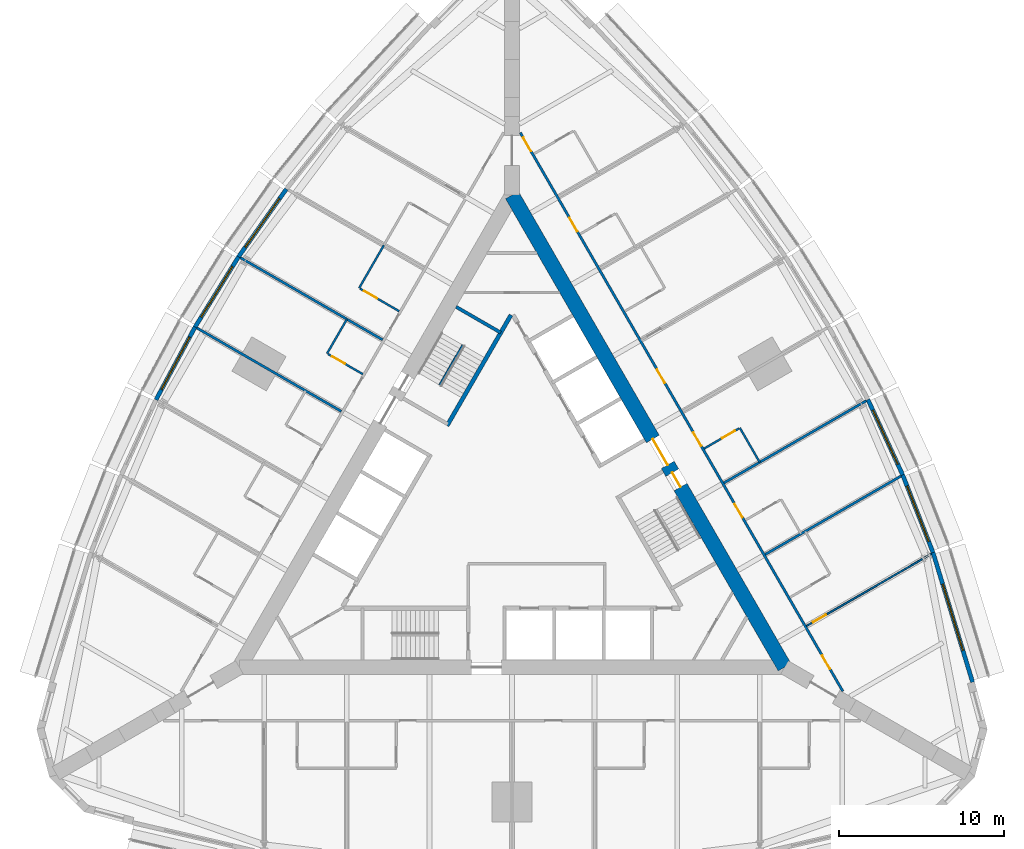
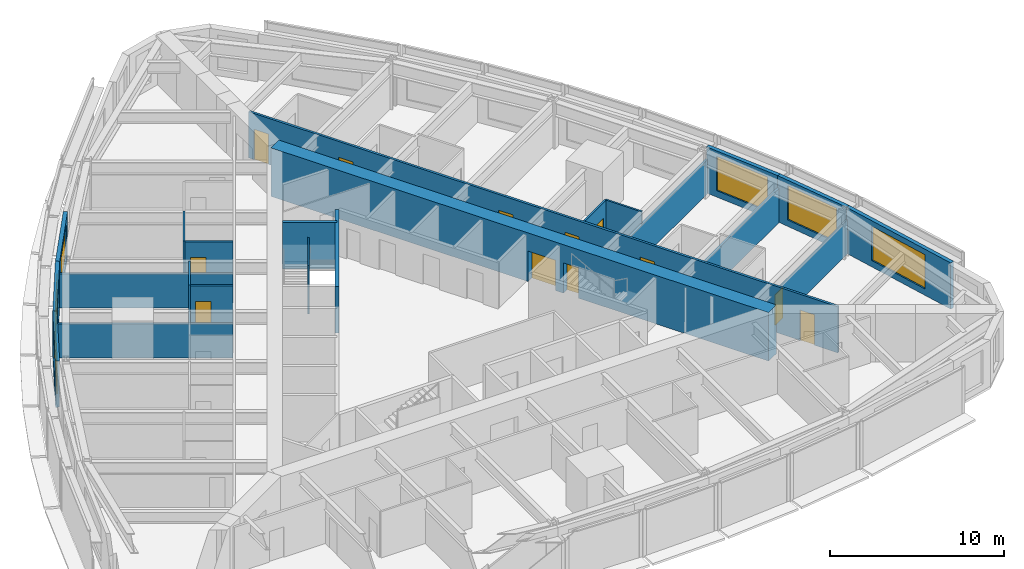
# One storey, part 11 of 14: 22 walls, 12 doors, 6 windows, 18 openings.
"""IFC4 building model written with IfcOpenShell, lengths in metres."""

from ifc_helpers import new_model, si_unit, direction, frame, frame_2d, origin, place, context, subcontext, project, spatial, rectangle, extrude, material, layer, layer_set, type_object, element, fill, save


model = new_model("IFC4")

# Units and contexts
model_context = context("Model", 3, precision=1e-05, world=origin(), true_north=direction((0.0, 1.0)))
body_context = subcontext(model_context, "Body", "Model", "MODEL_VIEW")
ifc_project = project(units=[si_unit("LENGTHUNIT", "METRE"), si_unit("AREAUNIT", "SQUARE_METRE"), si_unit("VOLUMEUNIT", "CUBIC_METRE"), si_unit("PLANEANGLEUNIT", "RADIAN"), si_unit("MASSUNIT", "GRAM", prefix="KILO")], contexts=[model_context])

# Site, building, storey
site_placement = place(None, origin())
site = spatial("IfcSite", under=ifc_project, at=site_placement, CompositionType="ELEMENT")
building_placement = place(site_placement, origin())
building = spatial("IfcBuilding", under=site, at=building_placement, Name="Trikona Tower", CompositionType="ELEMENT")
storey_placement = place(building_placement, frame((0.0, 0.0, 48.89990234375)))
storey = spatial("IfcBuildingStorey", under=building, at=storey_placement, Name="L11", CompositionType="ELEMENT", Elevation=48.89990234375)

# Wall
ifc_material_1 = material(Name="Metal stud and cement board", Category="gypsum")
ifc_layer_1 = layer(ifc_material_1, 0.1201171875)
ifc_layer_set_1 = layer_set([ifc_layer_1], Name="Bathroom wall 120")
wall_type_1 = type_object("IfcWallType", Name="Bathroom wall 120", PredefinedType="PLUMBINGWALL", material=ifc_layer_set_1)
wall_1_placement = place(storey_placement, frame((14.993408203125, 2.883056640625, 0.0), z_axis=(0.0, 0.0, 1.0), x_axis=(-0.500001309137, 0.866024647952, 0.0)))
element("IfcWall", 1, at=wall_1_placement, inside=storey, type_object=wall_type_1, Name="Bathroom wall 1107", PredefinedType="PLUMBINGWALL", context=body_context, shape_type="SweptSolid", body=[
    extrude(rectangle(XDim=2.39990234375, YDim=0.1201171875, at=frame_2d((1.199951171875, 0.0))), origin(), (0.0, 0.0, 1.0), 3.235107421875),
])

# Wall, opening, door
wall_2_placement = place(storey_placement, frame((11.62841796875, 3.71142578125, 0.0), z_axis=(0.0, 0.0, 1.0), x_axis=(0.866048967903, 0.499959183527, 0.0)))
wall_2 = element("IfcWall", 2, at=wall_2_placement, inside=storey, type_object=wall_type_1, Name="Bathroom wall 1107", PredefinedType="PLUMBINGWALL", context=body_context, shape_type="SweptSolid", body=[
    extrude(rectangle(XDim=2.440185546875, YDim=0.1201171875, at=frame_2d((1.22021484375, 0.0))), origin(), (0.0, 0.0, 1.0), 3.235107421875),
])
opening_1_placement = place(wall_2_placement, frame((1.25, 0.0, 0.0)))
opening_1 = element("IfcOpeningElement", 3, at=opening_1_placement, cuts=wall_2, Name="Opening D2", PredefinedType="OPENING", context=body_context, shape_type="SweptSolid", body=[
    extrude(rectangle(XDim=0.89990234375, YDim=2.1298828125, at=frame_2d((0.449951171875, 1.06494140625))), frame((0.0, 0.070068359375, 0.0), z_axis=(0.0, -1.0, 0.0), x_axis=(1.0, 0.0, 0.0)), (0.0, 0.0, 1.0), 0.14013671875),
])
ifc_material_2 = material(Name="Steel door frame with solid-core timber leaf", Category="steel")
door_type_1 = type_object("IfcDoorType", Name="Bathroom door 900x2130", OperationType="SLIDING_TO_LEFT", PredefinedType="DOOR", material=ifc_material_2)
door_1_placement = place(opening_1_placement, origin())
door_1 = element("IfcDoor", 4, at=door_1_placement, inside=storey, type_object=door_type_1, Name="Bathroom door 1107", OperationType="SLIDING_TO_LEFT", OverallHeight=2.1298828125, OverallWidth=0.89990234375, PredefinedType="DOOR", context=body_context, shape_type="SweptSolid", body=[
    extrude(rectangle(XDim=0.89990234375, YDim=2.1298828125, at=frame_2d((0.449951171875, 1.06494140625))), frame((0.0, 0.02490234375, 0.0), z_axis=(0.0, -1.0, 0.0), x_axis=(1.0, 0.0, 0.0)), (0.0, 0.0, 1.0), 0.050048828125),
])
fill(opening_1, door_1)

# Wall
wall_3_placement = place(storey_placement, frame((-7.75341796875, 16.0234375, 0.0), z_axis=(0.0, 0.0, 1.0), x_axis=(-0.499990139034, -0.866031096941, 0.0)))
element("IfcWall", 5, at=wall_3_placement, inside=storey, type_object=wall_type_1, Name="Bathroom wall 1112", PredefinedType="PLUMBINGWALL", context=body_context, shape_type="SweptSolid", body=[
    extrude(rectangle(XDim=3.0, YDim=0.1201171875, at=frame_2d((1.5, 0.0))), origin(), (0.0, 0.0, 1.0), 3.235107421875),
])

# Wall, opening, door
wall_4_placement = place(storey_placement, frame((-6.82861328125, 12.025390625, 0.0), z_axis=(0.0, 0.0, 1.0), x_axis=(-0.866035715982, 0.499982138324, 0.0)))
wall_4 = element("IfcWall", 6, at=wall_4_placement, inside=storey, type_object=wall_type_1, Name="Bathroom wall 1112", PredefinedType="PLUMBINGWALL", context=body_context, shape_type="SweptSolid", body=[
    extrude(rectangle(XDim=2.73974609375, YDim=0.1201171875, at=frame_2d((1.369873046875, 0.0))), origin(), (0.0, 0.0, 1.0), 3.235107421875),
])
opening_2_placement = place(wall_4_placement, frame((1.550048828125, 0.0, 0.0)))
opening_2 = element("IfcOpeningElement", 7, at=opening_2_placement, cuts=wall_4, Name="Opening D2", PredefinedType="OPENING", context=body_context, shape_type="SweptSolid", body=[
    extrude(rectangle(XDim=0.89990234375, YDim=2.1298828125, at=frame_2d((0.449951171875, 1.06494140625))), frame((0.0, 0.070068359375, 0.0), z_axis=(0.0, -1.0, 0.0), x_axis=(1.0, 0.0, 0.0)), (0.0, 0.0, 1.0), 0.14013671875),
])
door_2_placement = place(opening_2_placement, origin())
door_2 = element("IfcDoor", 8, at=door_2_placement, inside=storey, type_object=door_type_1, Name="Bathroom door 1112", OperationType="SLIDING_TO_LEFT", OverallHeight=2.1298828125, OverallWidth=0.89990234375, PredefinedType="DOOR", context=body_context, shape_type="SweptSolid", body=[
    extrude(rectangle(XDim=0.89990234375, YDim=2.1298828125, at=frame_2d((0.449951171875, 1.06494140625))), frame((0.0, 0.02490234375, 0.0), z_axis=(0.0, -1.0, 0.0), x_axis=(1.0, 0.0, 0.0)), (0.0, 0.0, 1.0), 0.050048828125),
])
fill(opening_2, door_2)

# Wall
wall_5_placement = place(storey_placement, frame((-9.993408203125, 11.543212890625, 0.0), z_axis=(0.0, 0.0, 1.0), x_axis=(-0.500077600433, -0.865980596518, 0.0)))
element("IfcWall", 9, at=wall_5_placement, inside=storey, type_object=wall_type_1, Name="Bathroom wall 1113", PredefinedType="PLUMBINGWALL", context=body_context, shape_type="SweptSolid", body=[
    extrude(rectangle(XDim=2.39990234375, YDim=0.1201171875, at=frame_2d((1.199951171875, 0.0))), origin(), (0.0, 0.0, 1.0), 3.235107421875),
])

# Wall, opening, door
wall_6_placement = place(storey_placement, frame((-9.028564453125, 8.21484375, 0.0), z_axis=(0.0, 0.0, 1.0), x_axis=(-0.866023955769, 0.500002508028, 0.0)))
wall_6 = element("IfcWall", 10, at=wall_6_placement, inside=storey, type_object=wall_type_1, Name="Bathroom wall 1113", PredefinedType="PLUMBINGWALL", context=body_context, shape_type="SweptSolid", body=[
    extrude(rectangle(XDim=2.43994140625, YDim=0.1201171875, at=frame_2d((1.219970703125, 0.0))), origin(), (0.0, 0.0, 1.0), 3.235107421875),
])
opening_3_placement = place(wall_6_placement, frame((1.25, 0.0, 0.0)))
opening_3 = element("IfcOpeningElement", 11, at=opening_3_placement, cuts=wall_6, Name="Opening D2", PredefinedType="OPENING", context=body_context, shape_type="SweptSolid", body=[
    extrude(rectangle(XDim=0.89990234375, YDim=2.1298828125, at=frame_2d((0.449951171875, 1.06494140625))), frame((0.0, 0.070068359375, 0.0), z_axis=(0.0, -1.0, 0.0), x_axis=(1.0, 0.0, 0.0)), (0.0, 0.0, 1.0), 0.14013671875),
])
door_3_placement = place(opening_3_placement, origin())
door_3 = element("IfcDoor", 12, at=door_3_placement, inside=storey, type_object=door_type_1, Name="Bathroom door 1113", OperationType="SLIDING_TO_LEFT", OverallHeight=2.1298828125, OverallWidth=0.89990234375, PredefinedType="DOOR", context=body_context, shape_type="SweptSolid", body=[
    extrude(rectangle(XDim=0.89990234375, YDim=2.1298828125, at=frame_2d((0.449951171875, 1.06494140625))), frame((0.0, 0.02490234375, 0.0), z_axis=(0.0, -1.0, 0.0), x_axis=(1.0, 0.0, 0.0)), (0.0, 0.0, 1.0), 0.050048828125),
])
fill(opening_3, door_3)

# Wall, openings, doors
ifc_material_3 = material(Name="Concrete f'c 10000 psi", Category="concrete")
ifc_layer_2 = layer(ifc_material_3, 0.89990234375)
ifc_layer_set_2 = layer_set([ifc_layer_2], Name="Core wall 900")
wall_type_2 = type_object("IfcWallType", Name="Core wall 900", PredefinedType="SHEAR", material=ifc_layer_set_2)
wall_7_placement = place(storey_placement, frame((16.5, -9.5263671875, 0.0), z_axis=(0.0, 0.0, 1.0), x_axis=(-0.499999749417, 0.866025548458, 0.0)))
wall_7 = element("IfcWall", 13, at=wall_7_placement, inside=storey, type_object=wall_type_2, Name="Core wall B", PredefinedType="SHEAR", context=body_context, shape_type="SweptSolid", body=[
    extrude(rectangle(XDim=33.0, YDim=0.89990234375, at=frame_2d((16.5, 0.0))), origin(), (0.0, 0.0, 1.0), 3.400146484375),
])
opening_4_placement = place(wall_7_placement, frame((14.14990234375, 0.0, 0.0)))
opening_4 = element("IfcOpeningElement", 14, at=opening_4_placement, cuts=wall_7, Name="Opening D6", PredefinedType="OPENING", context=body_context, shape_type="SweptSolid", body=[
    extrude(rectangle(XDim=1.800048828125, YDim=2.1298828125, at=frame_2d((0.89990234375, 1.06494140625))), frame((0.0, 0.4599609375, 0.0), z_axis=(0.0, -1.0, 0.0), x_axis=(1.0, 0.0, 0.0)), (0.0, 0.0, 1.0), 0.919921875),
])
opening_5_placement = place(wall_7_placement, frame((12.60009765625, 0.0, 0.0)))
opening_5 = element("IfcOpeningElement", 15, at=opening_5_placement, cuts=wall_7, Name="Opening D5", PredefinedType="OPENING", context=body_context, shape_type="SweptSolid", body=[
    extrude(rectangle(XDim=1.0, YDim=2.1298828125, at=frame_2d((0.5, 1.06494140625))), frame((0.0, 0.4599609375, 0.0), z_axis=(0.0, -1.0, 0.0), x_axis=(1.0, 0.0, 0.0)), (0.0, 0.0, 1.0), 0.919921875),
])
ifc_material_4 = material(Name="Hollow metal door and frame", Category="steel")
door_type_2 = type_object("IfcDoorType", Name="Lobby door pair 1800x2130", OperationType="DOUBLE_DOOR_SINGLE_SWING", PredefinedType="DOOR", material=ifc_material_4)
door_4_placement = place(opening_4_placement, origin())
door_4 = element("IfcDoor", 16, at=door_4_placement, inside=storey, type_object=door_type_2, Name="Lift lobby door B", OperationType="DOUBLE_DOOR_SINGLE_SWING", OverallHeight=2.1298828125, OverallWidth=1.800048828125, PredefinedType="DOOR", context=body_context, shape_type="SweptSolid", body=[
    extrude(rectangle(XDim=1.800048828125, YDim=2.1298828125, at=frame_2d((0.89990234375, 1.06494140625))), frame((0.0, 0.02490234375, 0.0), z_axis=(0.0, -1.0, 0.0), x_axis=(1.0, 0.0, 0.0)), (0.0, 0.0, 1.0), 0.050048828125),
])
fill(opening_4, door_4)
ifc_material_5 = material(Name="Hollow metal door and frame", Category="steel")
door_type_3 = type_object("IfcDoorType", Name="Stair door 1000x2130", OperationType="SINGLE_SWING_LEFT", PredefinedType="DOOR", material=ifc_material_5)
door_5_placement = place(opening_5_placement, origin())
door_5 = element("IfcDoor", 17, at=door_5_placement, inside=storey, type_object=door_type_3, Name="Stair B door", OperationType="SINGLE_SWING_RIGHT", OverallHeight=2.1298828125, OverallWidth=1.0, PredefinedType="DOOR", context=body_context, shape_type="SweptSolid", body=[
    extrude(rectangle(XDim=1.0, YDim=2.1298828125, at=frame_2d((0.5, 1.06494140625))), frame((0.0, 0.02490234375, 0.0), z_axis=(0.0, -1.0, 0.0), x_axis=(1.0, 0.0, 0.0)), (0.0, 0.0, 1.0), 0.050048828125),
])
fill(opening_5, door_5)

ifc_material_6 = material(Name="Metal stud and gypsum board, 1-hour", Category="gypsum")
ifc_layer_3 = layer(ifc_material_6, 0.14990234375)
ifc_layer_set_3 = layer_set([ifc_layer_3], Name="Corridor wall 150")
wall_type_3 = type_object("IfcWallType", Name="Corridor wall 150", PredefinedType="PARTITIONING", material=ifc_layer_set_3)
wall_8_placement = place(storey_placement, frame((20.027099609375, -10.9853515625, 0.0), z_axis=(0.0, 0.0, 1.0), x_axis=(-0.500001677587, 0.866024435227, 0.0)))
wall_8 = element("IfcWall", 18, at=wall_8_placement, inside=storey, type_object=wall_type_3, Name="Corridor wall L11-2", PredefinedType="PARTITIONING", context=body_context, shape_type="SweptSolid", body=[
    extrude(rectangle(XDim=39.053955078125, YDim=0.14990234375, at=frame_2d((19.52685546875, 0.0))), origin(), (0.0, 0.0, 1.0), 3.235107421875),
])
opening_6_placement = place(wall_8_placement, frame((1.558349609375, 0.0, 0.0)))
opening_6 = element("IfcOpeningElement", 19, at=opening_6_placement, cuts=wall_8, Name="Opening D1", PredefinedType="OPENING", context=body_context, shape_type="SweptSolid", body=[
    extrude(rectangle(XDim=0.949951171875, YDim=2.1298828125, at=frame_2d((0.47509765625, 1.06494140625))), frame((0.0, 0.0849609375, 0.0), z_axis=(0.0, -1.0, 0.0), x_axis=(1.0, 0.0, 0.0)), (0.0, 0.0, 1.0), 0.169921875),
])
opening_7_placement = place(wall_8_placement, frame((12.152099609375, 0.0, 0.0)))
opening_7 = element("IfcOpeningElement", 20, at=opening_7_placement, cuts=wall_8, Name="Opening D1", PredefinedType="OPENING", context=body_context, shape_type="SweptSolid", body=[
    extrude(rectangle(XDim=0.949951171875, YDim=2.1298828125, at=frame_2d((0.47509765625, 1.06494140625))), frame((0.0, 0.0849609375, 0.0), z_axis=(0.0, -1.0, 0.0), x_axis=(1.0, 0.0, 0.0)), (0.0, 0.0, 1.0), 0.169921875),
])
opening_8_placement = place(wall_8_placement, frame((17.152099609375, 0.0, 0.0)))
opening_8 = element("IfcOpeningElement", 21, at=opening_8_placement, cuts=wall_8, Name="Opening D1", PredefinedType="OPENING", context=body_context, shape_type="SweptSolid", body=[
    extrude(rectangle(XDim=0.949951171875, YDim=2.1298828125, at=frame_2d((0.47509765625, 1.06494140625))), frame((0.0, 0.0849609375, 0.0), z_axis=(0.0, -1.0, 0.0), x_axis=(1.0, 0.0, 0.0)), (0.0, 0.0, 1.0), 0.169921875),
])
opening_9_placement = place(wall_8_placement, frame((21.552001953125, 0.0, 0.0)))
opening_9 = element("IfcOpeningElement", 22, at=opening_9_placement, cuts=wall_8, Name="Opening D1", PredefinedType="OPENING", context=body_context, shape_type="SweptSolid", body=[
    extrude(rectangle(XDim=0.949951171875, YDim=2.1298828125, at=frame_2d((0.47509765625, 1.06494140625))), frame((0.0, 0.0849609375, 0.0), z_axis=(0.0, -1.0, 0.0), x_axis=(1.0, 0.0, 0.0)), (0.0, 0.0, 1.0), 0.169921875),
])
opening_10_placement = place(wall_8_placement, frame((32.152099609375, 0.0, 0.0)))
opening_10 = element("IfcOpeningElement", 23, at=opening_10_placement, cuts=wall_8, Name="Opening D1", PredefinedType="OPENING", context=body_context, shape_type="SweptSolid", body=[
    extrude(rectangle(XDim=0.949951171875, YDim=2.1298828125, at=frame_2d((0.47509765625, 1.06494140625))), frame((0.0, 0.0849609375, 0.0), z_axis=(0.0, -1.0, 0.0), x_axis=(1.0, 0.0, 0.0)), (0.0, 0.0, 1.0), 0.169921875),
])
opening_11_placement = place(wall_8_placement, frame((37.751953125, 0.0, 0.0)))
opening_11 = element("IfcOpeningElement", 24, at=opening_11_placement, cuts=wall_8, Name="Opening D1", PredefinedType="OPENING", context=body_context, shape_type="SweptSolid", body=[
    extrude(rectangle(XDim=0.949951171875, YDim=2.1298828125, at=frame_2d((0.47509765625, 1.06494140625))), frame((0.0, 0.0849609375, 0.0), z_axis=(0.0, -1.0, 0.0), x_axis=(1.0, 0.0, 0.0)), (0.0, 0.0, 1.0), 0.169921875),
])
ifc_material_7 = material(Name="Steel door frame with solid-core timber leaf", Category="steel")
door_type_4 = type_object("IfcDoorType", Name="Guest room door 950x2130", OperationType="SINGLE_SWING_LEFT", PredefinedType="DOOR", material=ifc_material_7)
door_6_placement = place(opening_6_placement, origin())
door_6 = element("IfcDoor", 25, at=door_6_placement, inside=storey, type_object=door_type_4, Name="Room door 1105", OperationType="SINGLE_SWING_LEFT", OverallHeight=2.1298828125, OverallWidth=0.949951171875, PredefinedType="DOOR", context=body_context, shape_type="SweptSolid", body=[
    extrude(rectangle(XDim=0.949951171875, YDim=2.1298828125, at=frame_2d((0.47509765625, 1.06494140625))), frame((0.0, 0.02490234375, 0.0), z_axis=(0.0, -1.0, 0.0), x_axis=(1.0, 0.0, 0.0)), (0.0, 0.0, 1.0), 0.050048828125),
])
fill(opening_6, door_6)
door_7_placement = place(opening_7_placement, origin())
door_7 = element("IfcDoor", 26, at=door_7_placement, inside=storey, type_object=door_type_4, Name="Room door 1106", OperationType="SINGLE_SWING_RIGHT", OverallHeight=2.1298828125, OverallWidth=0.949951171875, PredefinedType="DOOR", context=body_context, shape_type="SweptSolid", body=[
    extrude(rectangle(XDim=0.949951171875, YDim=2.1298828125, at=frame_2d((0.47509765625, 1.06494140625))), frame((0.0, 0.02490234375, 0.0), z_axis=(0.0, -1.0, 0.0), x_axis=(1.0, 0.0, 0.0)), (0.0, 0.0, 1.0), 0.050048828125),
])
fill(opening_7, door_7)
door_8_placement = place(opening_8_placement, origin())
door_8 = element("IfcDoor", 27, at=door_8_placement, inside=storey, type_object=door_type_4, Name="Room door 1107", OperationType="SINGLE_SWING_LEFT", OverallHeight=2.1298828125, OverallWidth=0.949951171875, PredefinedType="DOOR", context=body_context, shape_type="SweptSolid", body=[
    extrude(rectangle(XDim=0.949951171875, YDim=2.1298828125, at=frame_2d((0.47509765625, 1.06494140625))), frame((0.0, 0.02490234375, 0.0), z_axis=(0.0, -1.0, 0.0), x_axis=(1.0, 0.0, 0.0)), (0.0, 0.0, 1.0), 0.050048828125),
])
fill(opening_8, door_8)
door_9_placement = place(opening_9_placement, origin())
door_9 = element("IfcDoor", 28, at=door_9_placement, inside=storey, type_object=door_type_4, Name="Room door 1108", OperationType="SINGLE_SWING_RIGHT", OverallHeight=2.1298828125, OverallWidth=0.949951171875, PredefinedType="DOOR", context=body_context, shape_type="SweptSolid", body=[
    extrude(rectangle(XDim=0.949951171875, YDim=2.1298828125, at=frame_2d((0.47509765625, 1.06494140625))), frame((0.0, 0.02490234375, 0.0), z_axis=(0.0, -1.0, 0.0), x_axis=(1.0, 0.0, 0.0)), (0.0, 0.0, 1.0), 0.050048828125),
])
fill(opening_9, door_9)
door_10_placement = place(opening_10_placement, origin())
door_10 = element("IfcDoor", 29, at=door_10_placement, inside=storey, type_object=door_type_4, Name="Room door 1109", OperationType="SINGLE_SWING_LEFT", OverallHeight=2.1298828125, OverallWidth=0.949951171875, PredefinedType="DOOR", context=body_context, shape_type="SweptSolid", body=[
    extrude(rectangle(XDim=0.949951171875, YDim=2.1298828125, at=frame_2d((0.47509765625, 1.06494140625))), frame((0.0, 0.02490234375, 0.0), z_axis=(0.0, -1.0, 0.0), x_axis=(1.0, 0.0, 0.0)), (0.0, 0.0, 1.0), 0.050048828125),
])
fill(opening_10, door_10)
door_11_placement = place(opening_11_placement, origin())
door_11 = element("IfcDoor", 30, at=door_11_placement, inside=storey, type_object=door_type_4, Name="Room door 1110", OperationType="SINGLE_SWING_RIGHT", OverallHeight=2.1298828125, OverallWidth=0.949951171875, PredefinedType="DOOR", context=body_context, shape_type="SweptSolid", body=[
    extrude(rectangle(XDim=0.949951171875, YDim=2.1298828125, at=frame_2d((0.47509765625, 1.06494140625))), frame((0.0, 0.02490234375, 0.0), z_axis=(0.0, -1.0, 0.0), x_axis=(1.0, 0.0, 0.0)), (0.0, 0.0, 1.0), 0.050048828125),
])
fill(opening_11, door_11)

# Wall
ifc_material_8 = material(Name="Concrete f'c 8000 psi", Category="concrete")
ifc_layer_4 = layer(ifc_material_8, 0.25)
ifc_layer_set_4 = layer_set([ifc_layer_4], Name="Hub wall 250")
wall_type_4 = type_object("IfcWallType", Name="Hub wall 250", PredefinedType="SOLIDWALL", material=ifc_layer_set_4)
wall_9_placement = place(storey_placement, frame((-0.0625, 11.794189453125, 0.0), z_axis=(0.0, 0.0, 1.0), x_axis=(-0.500006680225, -0.86602154692, 0.0)))
element("IfcWall", 31, at=wall_9_placement, inside=storey, type_object=wall_type_4, Name="Lift lobby wall C1", PredefinedType="SOLIDWALL", context=body_context, shape_type="SweptSolid", body=[
    extrude(rectangle(XDim=7.73291015625, YDim=0.25, at=frame_2d((3.866455078125, 0.0))), origin(), (0.0, 0.0, 1.0), 3.235107421875),
])

# Wall, opening, window
ifc_material_9 = material(Name="Insulated precast concrete spandrel panel", Category="concrete")
ifc_layer_5 = layer(ifc_material_9, 0.25)
ifc_layer_set_5 = layer_set([ifc_layer_5], Name="Inner skin wall 250")
wall_type_5 = type_object("IfcWallType", Name="Inner skin wall 250", PredefinedType="STANDARD", material=ifc_layer_set_5)
wall_10_placement = place(storey_placement, frame((27.88037109375, -10.4287109375, 0.0), z_axis=(0.0, 0.0, 1.0), x_axis=(-0.2919790669, 0.956424709265, 0.0)))
wall_10 = element("IfcWall", 32, at=wall_10_placement, inside=storey, type_object=wall_type_5, Name="External wall L11-12", PredefinedType="STANDARD", context=body_context, shape_type="SweptSolid", body=[
    extrude(rectangle(XDim=8.211181640625, YDim=0.25, at=frame_2d((4.10546875, 0.0))), origin(), (0.0, 0.0, 1.0), 3.235107421875),
])
opening_12_placement = place(wall_10_placement, frame((2.005615234375, 0.0, 0.449951171875)))
opening_12 = element("IfcOpeningElement", 33, at=opening_12_placement, cuts=wall_10, Name="Opening W4224", PredefinedType="OPENING", context=body_context, shape_type="SweptSolid", body=[
    extrude(rectangle(XDim=4.199951171875, YDim=2.39990234375, at=frame_2d((2.10009765625, 1.199951171875))), frame((0.0, 0.135009765625, 0.0), z_axis=(0.0, -1.0, 0.0), x_axis=(1.0, 0.0, 0.0)), (0.0, 0.0, 1.0), 0.27001953125),
])
ifc_material_10 = material(Name="Aluminium-framed double glazing", Category="aluminium")
window_type_1 = type_object("IfcWindowType", Name="Window 4200x2400", PartitioningType="SINGLE_PANEL", PredefinedType="WINDOW", material=ifc_material_10)
window_1_placement = place(opening_12_placement, origin())
window_1 = element("IfcWindow", 34, at=window_1_placement, inside=storey, type_object=window_type_1, Name="Window 1105", OverallHeight=2.39990234375, OverallWidth=4.199951171875, PartitioningType="SINGLE_PANEL", PredefinedType="WINDOW", context=body_context, shape_type="SweptSolid", body=[
    extrude(rectangle(XDim=4.199951171875, YDim=2.39990234375, at=frame_2d((2.10009765625, 1.199951171875))), frame((0.0, 0.030029296875, 0.0), z_axis=(0.0, -1.0, 0.0), x_axis=(1.0, 0.0, 0.0)), (0.0, 0.0, 1.0), 0.06005859375),
])
fill(opening_12, window_1)

wall_11_placement = place(storey_placement, frame((25.486083984375, -2.58447265625, 0.0), z_axis=(0.0, 0.0, 1.0), x_axis=(-0.364013463868, 0.931393685894, 0.0)))
wall_11 = element("IfcWall", 35, at=wall_11_placement, inside=storey, type_object=wall_type_5, Name="External wall L11-13", PredefinedType="STANDARD", context=body_context, shape_type="SweptSolid", body=[
    extrude(rectangle(XDim=5.0576171875, YDim=0.25, at=frame_2d((2.52880859375, 0.0))), origin(), (0.0, 0.0, 1.0), 3.235107421875),
])
opening_13_placement = place(wall_11_placement, frame((0.728759765625, 0.0, 0.449951171875)))
opening_13 = element("IfcOpeningElement", 36, at=opening_13_placement, cuts=wall_11, Name="Opening W3624", PredefinedType="OPENING", context=body_context, shape_type="SweptSolid", body=[
    extrude(rectangle(XDim=3.60009765625, YDim=2.39990234375, at=frame_2d((1.800048828125, 1.199951171875))), frame((0.0, 0.135009765625, 0.0), z_axis=(0.0, -1.0, 0.0), x_axis=(1.0, 0.0, 0.0)), (0.0, 0.0, 1.0), 0.27001953125),
])
ifc_material_11 = material(Name="Aluminium-framed double glazing", Category="aluminium")
window_type_2 = type_object("IfcWindowType", Name="Window 3600x2400", PartitioningType="SINGLE_PANEL", PredefinedType="WINDOW", material=ifc_material_11)
window_2_placement = place(opening_13_placement, origin())
window_2 = element("IfcWindow", 37, at=window_2_placement, inside=storey, type_object=window_type_2, Name="Window 1105.1", OverallHeight=2.39990234375, OverallWidth=3.60009765625, PartitioningType="SINGLE_PANEL", PredefinedType="WINDOW", context=body_context, shape_type="SweptSolid", body=[
    extrude(rectangle(XDim=3.60009765625, YDim=2.39990234375, at=frame_2d((1.800048828125, 1.199951171875))), frame((0.0, 0.030029296875, 0.0), z_axis=(0.0, -1.0, 0.0), x_axis=(1.0, 0.0, 0.0)), (0.0, 0.0, 1.0), 0.06005859375),
])
fill(opening_13, window_2)

wall_12_placement = place(storey_placement, frame((23.64794921875, 2.119384765625, 0.0), z_axis=(0.0, 0.0, 1.0), x_axis=(-0.419203100754, 0.907892482796, 0.0)))
wall_12 = element("IfcWall", 38, at=wall_12_placement, inside=storey, type_object=wall_type_5, Name="External wall L11-14", PredefinedType="STANDARD", context=body_context, shape_type="SweptSolid", body=[
    extrude(rectangle(XDim=5.020751953125, YDim=0.25, at=frame_2d((2.51025390625, 0.0))), origin(), (0.0, 0.0, 1.0), 3.235107421875),
])
opening_14_placement = place(wall_12_placement, frame((0.71044921875, 0.0, 0.449951171875)))
opening_14 = element("IfcOpeningElement", 39, at=opening_14_placement, cuts=wall_12, Name="Opening W3624", PredefinedType="OPENING", context=body_context, shape_type="SweptSolid", body=[
    extrude(rectangle(XDim=3.60009765625, YDim=2.39990234375, at=frame_2d((1.800048828125, 1.199951171875))), frame((0.0, 0.135009765625, 0.0), z_axis=(0.0, -1.0, 0.0), x_axis=(1.0, 0.0, 0.0)), (0.0, 0.0, 1.0), 0.27001953125),
])
window_3_placement = place(opening_14_placement, origin())
window_3 = element("IfcWindow", 40, at=window_3_placement, inside=storey, type_object=window_type_2, Name="Window 1106", OverallHeight=2.39990234375, OverallWidth=3.60009765625, PartitioningType="SINGLE_PANEL", PredefinedType="WINDOW", context=body_context, shape_type="SweptSolid", body=[
    extrude(rectangle(XDim=3.60009765625, YDim=2.39990234375, at=frame_2d((1.800048828125, 1.199951171875))), frame((0.0, 0.030029296875, 0.0), z_axis=(0.0, -1.0, 0.0), x_axis=(1.0, 0.0, 0.0)), (0.0, 0.0, 1.0), 0.06005859375),
])
fill(opening_14, window_3)

wall_13_placement = place(storey_placement, frame((-13.659423828125, 19.420166015625, 0.0), z_axis=(0.0, 0.0, 1.0), x_axis=(-0.5766431066, -0.81699616132, 0.0)))
wall_13 = element("IfcWall", 41, at=wall_13_placement, inside=storey, type_object=wall_type_5, Name="External wall L11-26", PredefinedType="STANDARD", context=body_context, shape_type="SweptSolid", body=[
    extrude(rectangle(XDim=5.02099609375, YDim=0.25, at=frame_2d((2.510498046875, 0.0))), origin(), (0.0, 0.0, 1.0), 3.235107421875),
])
opening_15_placement = place(wall_13_placement, frame((0.71044921875, 0.0, 0.449951171875)))
opening_15 = element("IfcOpeningElement", 42, at=opening_15_placement, cuts=wall_13, Name="Opening W3624", PredefinedType="OPENING", context=body_context, shape_type="SweptSolid", body=[
    extrude(rectangle(XDim=3.60009765625, YDim=2.39990234375, at=frame_2d((1.800048828125, 1.199951171875))), frame((0.0, 0.135009765625, 0.0), z_axis=(0.0, -1.0, 0.0), x_axis=(1.0, 0.0, 0.0)), (0.0, 0.0, 1.0), 0.27001953125),
])
window_4_placement = place(opening_15_placement, origin())
window_4 = element("IfcWindow", 43, at=window_4_placement, inside=storey, type_object=window_type_2, Name="Window 1112", OverallHeight=2.39990234375, OverallWidth=3.60009765625, PartitioningType="SINGLE_PANEL", PredefinedType="WINDOW", context=body_context, shape_type="SweptSolid", body=[
    extrude(rectangle(XDim=3.60009765625, YDim=2.39990234375, at=frame_2d((1.800048828125, 1.199951171875))), frame((0.0, 0.030029296875, 0.0), z_axis=(0.0, -1.0, 0.0), x_axis=(1.0, 0.0, 0.0)), (0.0, 0.0, 1.0), 0.06005859375),
])
fill(opening_15, window_4)

wall_14_placement = place(storey_placement, frame((-16.550537109375, 15.324462890625, 0.0), z_axis=(0.0, 0.0, 1.0), x_axis=(-0.526132807704, -0.850402415717, 0.0)))
wall_14 = element("IfcWall", 44, at=wall_14_placement, inside=storey, type_object=wall_type_5, Name="External wall L11-27", PredefinedType="STANDARD", context=body_context, shape_type="SweptSolid", body=[
    extrude(rectangle(XDim=5.002197265625, YDim=0.25, at=frame_2d((2.5009765625, 0.0))), origin(), (0.0, 0.0, 1.0), 3.235107421875),
])
opening_16_placement = place(wall_14_placement, frame((0.701171875, 0.0, 0.449951171875)))
opening_16 = element("IfcOpeningElement", 45, at=opening_16_placement, cuts=wall_14, Name="Opening W3624", PredefinedType="OPENING", context=body_context, shape_type="SweptSolid", body=[
    extrude(rectangle(XDim=3.60009765625, YDim=2.39990234375, at=frame_2d((1.800048828125, 1.199951171875))), frame((0.0, 0.135009765625, 0.0), z_axis=(0.0, -1.0, 0.0), x_axis=(1.0, 0.0, 0.0)), (0.0, 0.0, 1.0), 0.27001953125),
])
window_5_placement = place(opening_16_placement, origin())
window_5 = element("IfcWindow", 46, at=window_5_placement, inside=storey, type_object=window_type_2, Name="Window 1113", OverallHeight=2.39990234375, OverallWidth=3.60009765625, PartitioningType="SINGLE_PANEL", PredefinedType="WINDOW", context=body_context, shape_type="SweptSolid", body=[
    extrude(rectangle(XDim=3.60009765625, YDim=2.39990234375, at=frame_2d((1.800048828125, 1.199951171875))), frame((0.0, 0.030029296875, 0.0), z_axis=(0.0, -1.0, 0.0), x_axis=(1.0, 0.0, 0.0)), (0.0, 0.0, 1.0), 0.06005859375),
])
fill(opening_16, window_5)

wall_15_placement = place(storey_placement, frame((-19.178466796875, 11.0771484375, 0.0), z_axis=(0.0, 0.0, 1.0), x_axis=(-0.473412820489, -0.880840678782, 0.0)))
wall_15 = element("IfcWall", 47, at=wall_15_placement, inside=storey, type_object=wall_type_5, Name="External wall L11-28", PredefinedType="STANDARD", context=body_context, shape_type="SweptSolid", body=[
    extrude(rectangle(XDim=5.00244140625, YDim=0.25, at=frame_2d((2.501220703125, 0.0))), origin(), (0.0, 0.0, 1.0), 3.235107421875),
])
opening_17_placement = place(wall_15_placement, frame((0.701171875, 0.0, 0.449951171875)))
opening_17 = element("IfcOpeningElement", 48, at=opening_17_placement, cuts=wall_15, Name="Opening W3624", PredefinedType="OPENING", context=body_context, shape_type="SweptSolid", body=[
    extrude(rectangle(XDim=3.60009765625, YDim=2.39990234375, at=frame_2d((1.800048828125, 1.199951171875))), frame((0.0, 0.135009765625, 0.0), z_axis=(0.0, -1.0, 0.0), x_axis=(1.0, 0.0, 0.0)), (0.0, 0.0, 1.0), 0.27001953125),
])
window_6_placement = place(opening_17_placement, origin())
window_6 = element("IfcWindow", 49, at=window_6_placement, inside=storey, type_object=window_type_2, Name="Window 1114", OverallHeight=2.39990234375, OverallWidth=3.60009765625, PartitioningType="SINGLE_PANEL", PredefinedType="WINDOW", context=body_context, shape_type="SweptSolid", body=[
    extrude(rectangle(XDim=3.60009765625, YDim=2.39990234375, at=frame_2d((1.800048828125, 1.199951171875))), frame((0.0, 0.030029296875, 0.0), z_axis=(0.0, -1.0, 0.0), x_axis=(1.0, 0.0, 0.0)), (0.0, 0.0, 1.0), 0.06005859375),
])
fill(opening_17, window_6)

# Walls
ifc_material_12 = material(Name="Metal stud and gypsum board, 1-hour acoustic", Category="gypsum")
ifc_layer_6 = layer(ifc_material_12, 0.14990234375)
ifc_layer_set_6 = layer_set([ifc_layer_6], Name="Party wall 150")
wall_type_6 = type_object("IfcWallType", Name="Party wall 150", PredefinedType="PARTITIONING", material=ifc_layer_set_6)
wall_16_placement = place(storey_placement, frame((15.32861328125, -2.697021484375, 0.0), z_axis=(0.0, 0.0, 1.0), x_axis=(0.866018409083, 0.500012114982, 0.0)))
element("IfcWall", 50, at=wall_16_placement, inside=storey, type_object=wall_type_6, Name="Partition L11 F2 u-10", PredefinedType="PARTITIONING", context=body_context, shape_type="SweptSolid", body=[
    extrude(rectangle(XDim=9.484619140625, YDim=0.14990234375, at=frame_2d((4.7421875, 0.0))), origin(), (0.0, 0.0, 1.0), 2.389404296875),
])
wall_17_placement = place(storey_placement, frame((12.82861328125, 1.633056640625, 0.0), z_axis=(0.0, 0.0, 1.0), x_axis=(0.866026934769, 0.499997348248, 0.0)))
element("IfcWall", 51, at=wall_17_placement, inside=storey, type_object=wall_type_6, Name="Partition L11 F2 u-5", PredefinedType="PARTITIONING", context=body_context, shape_type="SweptSolid", body=[
    extrude(rectangle(XDim=9.94287109375, YDim=0.14990234375, at=frame_2d((4.971435546875, 0.0))), origin(), (0.0, 0.0, 1.0), 2.389404296875),
])
wall_18_placement = place(storey_placement, frame((-7.82861328125, 10.293212890625, 0.0), z_axis=(0.0, 0.0, 1.0), x_axis=(-0.866016302457, 0.50001576363, 0.0)))
element("IfcWall", 52, at=wall_18_placement, inside=storey, type_object=wall_type_6, Name="Partition L11 F3 u-5", PredefinedType="PARTITIONING", context=body_context, shape_type="SweptSolid", body=[
    extrude(rectangle(XDim=9.943115234375, YDim=0.14990234375, at=frame_2d((4.9716796875, 0.0))), origin(), (0.0, 0.0, 1.0), 2.389404296875),
])
wall_19_placement = place(storey_placement, frame((-10.32861328125, 5.963134765625, 0.0), z_axis=(0.0, 0.0, 1.0), x_axis=(-0.866021688545, 0.500006434927, 0.0)))
element("IfcWall", 53, at=wall_19_placement, inside=storey, type_object=wall_type_6, Name="Partition L11 F3 u-5.10703e-15", PredefinedType="PARTITIONING", context=body_context, shape_type="SweptSolid", body=[
    extrude(rectangle(XDim=10.095947265625, YDim=0.14990234375, at=frame_2d((5.0478515625, 0.0))), origin(), (0.0, 0.0, 1.0), 2.389404296875),
])
ifc_material_13 = material(Name="Concrete f'c 8000 psi", Category="concrete")
ifc_layer_7 = layer(ifc_material_13, 0.199951171875)
ifc_layer_set_7 = layer_set([ifc_layer_7], Name="Shaft wall 200 load-bearing")
wall_type_7 = type_object("IfcWallType", Name="Shaft wall 200 load-bearing", PredefinedType="SOLIDWALL", material=ifc_layer_set_7)
wall_20_placement = place(storey_placement, frame((-0.678955078125, 10.7265625, 0.0), z_axis=(0.0, 0.0, 1.0), x_axis=(-0.866022959057, 0.500004234368, 0.0)))
element("IfcWall", 54, at=wall_20_placement, inside=storey, type_object=wall_type_7, Name="Shaft wall C1", PredefinedType="SOLIDWALL", context=body_context, shape_type="SweptSolid", body=[
    extrude(rectangle(XDim=3.125, YDim=0.199951171875, at=frame_2d((1.5625, 0.0))), origin(), (0.0, 0.0, 1.0), 3.235107421875),
])
ifc_material_14 = material(Name="Concrete f'c 5000 psi", Category="concrete")
ifc_layer_8 = layer(ifc_material_14, 0.10009765625)
ifc_layer_set_8 = layer_set([ifc_layer_8], Name="Stair spine wall 100")
wall_type_8 = type_object("IfcWallType", Name="Stair spine wall 100", PredefinedType="SOLIDWALL", material=ifc_layer_set_8)
wall_21_placement = place(storey_placement, frame((-2.98779296875, 9.9775390625, 0.0), z_axis=(0.0, 0.0, 1.0), x_axis=(-0.499992232847, -0.866029888106, 0.0)))
element("IfcWall", 55, at=wall_21_placement, inside=storey, type_object=wall_type_8, Name="Stair C spine wall L11", PredefinedType="SOLIDWALL", context=body_context, shape_type="SweptSolid", body=[
    extrude(rectangle(XDim=2.7939453125, YDim=0.10009765625, at=frame_2d((1.39697265625, 0.0))), origin(), (0.0, 0.0, 1.0), 3.400146484375),
])

# Wall, opening, door
ifc_material_15 = material(Name="Metal stud and gypsum board, acoustic", Category="gypsum")
ifc_layer_9 = layer(ifc_material_15, 0.10009765625)
ifc_layer_set_9 = layer_set([ifc_layer_9], Name="Suite partition 100")
wall_type_9 = type_object("IfcWallType", Name="Suite partition 100", PredefinedType="PARTITIONING", material=ifc_layer_set_9)
wall_22_placement = place(storey_placement, frame((17.82861328125, -7.027099609375, 0.0), z_axis=(0.0, 0.0, 1.0), x_axis=(0.866032659912, 0.499987431809, 0.0)))
wall_22 = element("IfcWall", 56, at=wall_22_placement, inside=storey, type_object=wall_type_9, Name="Suite partition L11 F2 u-15", PredefinedType="PARTITIONING", context=body_context, shape_type="SweptSolid", body=[
    extrude(rectangle(XDim=8.719970703125, YDim=0.10009765625, at=frame_2d((4.35986328125, 0.0))), origin(), (0.0, 0.0, 1.0), 2.389404296875),
])
opening_18_placement = place(wall_22_placement, frame((0.449951171875, 0.0, 0.0)))
opening_18 = element("IfcOpeningElement", 57, at=opening_18_placement, cuts=wall_22, Name="Opening D13", PredefinedType="OPENING", context=body_context, shape_type="SweptSolid", body=[
    extrude(rectangle(XDim=0.89990234375, YDim=2.1298828125, at=frame_2d((0.449951171875, 1.06494140625))), frame((0.0, 0.06005859375, 0.0), z_axis=(0.0, -1.0, 0.0), x_axis=(1.0, 0.0, 0.0)), (0.0, 0.0, 1.0), 0.1201171875),
])
ifc_material_16 = material(Name="Steel door frame with solid-core timber leaf", Category="steel")
door_type_5 = type_object("IfcDoorType", Name="Suite door 900x2130", OperationType="SINGLE_SWING_LEFT", PredefinedType="DOOR", material=ifc_material_16)
door_12_placement = place(opening_18_placement, origin())
door_12 = element("IfcDoor", 58, at=door_12_placement, inside=storey, type_object=door_type_5, Name="Suite door 1105", OperationType="SINGLE_SWING_LEFT", OverallHeight=2.1298828125, OverallWidth=0.89990234375, PredefinedType="DOOR", context=body_context, shape_type="SweptSolid", body=[
    extrude(rectangle(XDim=0.89990234375, YDim=2.1298828125, at=frame_2d((0.449951171875, 1.06494140625))), frame((0.0, 0.02490234375, 0.0), z_axis=(0.0, -1.0, 0.0), x_axis=(1.0, 0.0, 0.0)), (0.0, 0.0, 1.0), 0.050048828125),
])
fill(opening_18, door_12)

save(model, "model.ifc")
